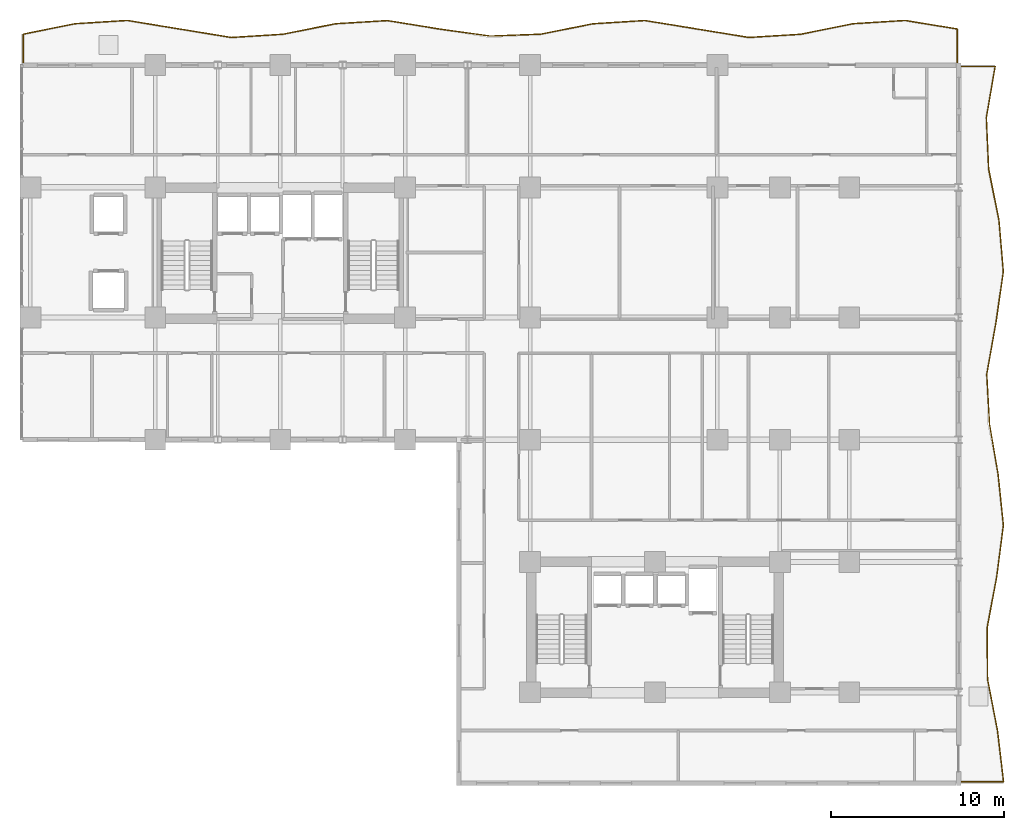
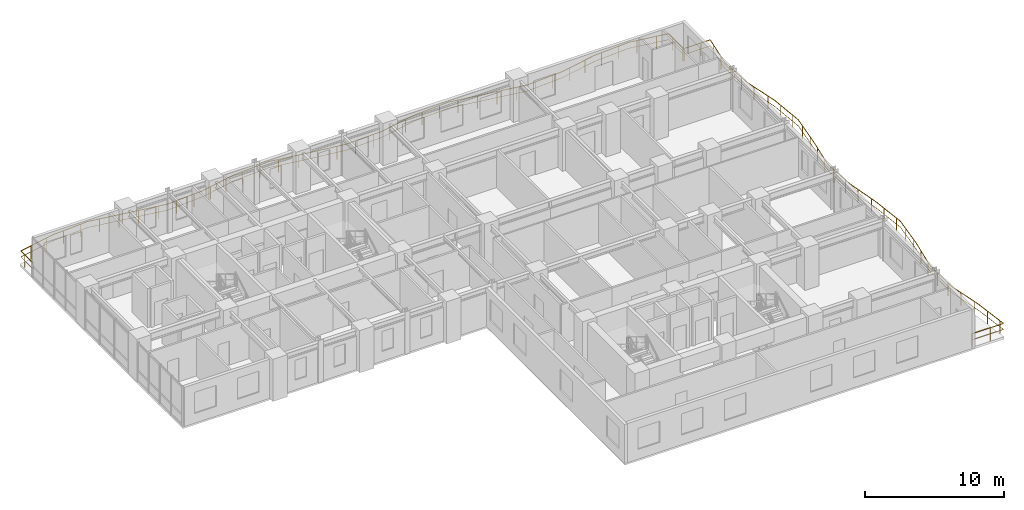
# One storey, part 18 of 18: 2 railings.
"""IFC4 building model written with IfcOpenShell, lengths in metres."""

from ifc_helpers import new_model, si_unit, direction, frame, origin, origin_2d, place, context, subcontext, project, spatial, rectangle, extrude, material, type_object, element, save


model = new_model("IFC4")

# Units and contexts
model_context = context("Model", 3, precision=1e-05, world=origin(), true_north=direction((0.0, 1.0)))
body_context = subcontext(model_context, "Body", "Model", "MODEL_VIEW")
ifc_project = project(units=[si_unit("LENGTHUNIT", "METRE"), si_unit("AREAUNIT", "SQUARE_METRE"), si_unit("VOLUMEUNIT", "CUBIC_METRE"), si_unit("PLANEANGLEUNIT", "RADIAN"), si_unit("MASSUNIT", "GRAM", prefix="KILO")], contexts=[model_context])

# Site, building, storey
site_placement = place(None, origin())
site = spatial("IfcSite", under=ifc_project, at=site_placement, CompositionType="ELEMENT")
building_placement = place(site_placement, origin())
building = spatial("IfcBuilding", under=site, at=building_placement, Name="Kaliganga Portal Commons", CompositionType="ELEMENT")
storey_placement = place(building_placement, frame((0.0, 0.0, 93.39990234375)))
storey = spatial("IfcBuildingStorey", under=building, at=storey_placement, Name="L23", CompositionType="ELEMENT", Elevation=93.39990234375)

# Railings
ifc_material = material(Name="Laminated Safety Glass and Stainless Steel 316", Category="steel")
railing_type = type_object("IfcRailingType", Name="RLG-BAL-1150", PredefinedType="BALUSTRADE", material=ifc_material)
railing_1_placement = place(storey_placement, frame((60.6201171875, 43.20556640625, 0.0)))
element("IfcRailing", 1, at=railing_1_placement, inside=storey, type_object=railing_type, Name="Balcony Guardrail L23 balc_north", PredefinedType="BALUSTRADE", context=body_context, shape_type="SweptSolid", body=[
    extrude(rectangle(XDim=0.048095703125, YDim=0.048095703125, at=origin_2d()), frame((0.0, 0.0, 1.1259765625), z_axis=(0.0, 1.0, 0.0), x_axis=(-1.0, 0.0, 0.0)), (0.0, 0.0, 1.0), 2.076416015625),
    extrude(rectangle(XDim=0.028076171875, YDim=0.028076171875, at=origin_2d()), frame((0.0, 0.0, 0.597900390625), z_axis=(0.0, 1.0, 0.0), x_axis=(-1.0, 0.0, 0.0)), (0.0, 0.0, 1.0), 2.076416015625),
    extrude(rectangle(XDim=0.048095703125, YDim=0.048095703125, at=origin_2d()), frame((0.0, 2.076416015625, 1.1259765625), z_axis=(-0.986897146994, 0.161350615911, 0.0), x_axis=(-0.161350615911, -0.986897146994, 0.0)), (0.0, 0.0, 1.0), 3.039794921875),
    extrude(rectangle(XDim=0.028076171875, YDim=0.028076171875, at=origin_2d()), frame((0.0, 2.076416015625, 0.597900390625), z_axis=(-0.986897146994, 0.161350615911, 0.0), x_axis=(-0.161350615911, -0.986897146994, 0.0)), (0.0, 0.0, 1.0), 3.039794921875),
    extrude(rectangle(XDim=0.048095703125, YDim=0.048095703125, at=origin_2d()), frame((-3.0, 2.56689453125, 1.1259765625), z_axis=(-0.998047518624, -0.062459191229, 0.0), x_axis=(0.062459191229, -0.998047518624, 0.0)), (0.0, 0.0, 1.0), 3.005859375),
    extrude(rectangle(XDim=0.028076171875, YDim=0.028076171875, at=origin_2d()), frame((-3.0, 2.56689453125, 0.597900390625), z_axis=(-0.998047518624, -0.062459191229, 0.0), x_axis=(0.062459191229, -0.998047518624, 0.0)), (0.0, 0.0, 1.0), 3.005859375),
    extrude(rectangle(XDim=0.048095703125, YDim=0.048095703125, at=origin_2d()), frame((-6.0, 2.379150390625, 1.1259765625), z_axis=(-0.980204587851, -0.197987287357, 0.0), x_axis=(0.197987287357, -0.980204587851, 0.0)), (0.0, 0.0, 1.0), 3.060546875),
    extrude(rectangle(XDim=0.028076171875, YDim=0.028076171875, at=origin_2d()), frame((-6.0, 2.379150390625, 0.597900390625), z_axis=(-0.980204587851, -0.197987287357, 0.0), x_axis=(0.197987287357, -0.980204587851, 0.0)), (0.0, 0.0, 1.0), 3.060546875),
    extrude(rectangle(XDim=0.048095703125, YDim=0.048095703125, at=origin_2d()), frame((-9.0, 1.773193359375, 1.1259765625), z_axis=(-0.998062678679, -0.06221647232, 0.0), x_axis=(0.06221647232, -0.998062678679, 0.0)), (0.0, 0.0, 1.0), 3.005859375),
    extrude(rectangle(XDim=0.028076171875, YDim=0.028076171875, at=origin_2d()), frame((-9.0, 1.773193359375, 0.597900390625), z_axis=(-0.998062678679, -0.06221647232, 0.0), x_axis=(0.06221647232, -0.998062678679, 0.0)), (0.0, 0.0, 1.0), 3.005859375),
    extrude(rectangle(XDim=0.048095703125, YDim=0.048095703125, at=origin_2d()), frame((-12.0, 1.586181640625, 1.1259765625), z_axis=(-0.98694825564, 0.16103769959, 0.0), x_axis=(-0.16103769959, -0.98694825564, 0.0)), (0.0, 0.0, 1.0), 3.039794921875),
    extrude(rectangle(XDim=0.028076171875, YDim=0.028076171875, at=origin_2d()), frame((-12.0, 1.586181640625, 0.597900390625), z_axis=(-0.98694825564, 0.16103769959, 0.0), x_axis=(-0.16103769959, -0.98694825564, 0.0)), (0.0, 0.0, 1.0), 3.039794921875),
    extrude(rectangle(XDim=0.048095703125, YDim=0.048095703125, at=origin_2d()), frame((-15.0, 2.07568359375, 1.1259765625), z_axis=(-0.987050191056, 0.160411721317, 0.0), x_axis=(-0.160411721317, -0.987050191056, 0.0)), (0.0, 0.0, 1.0), 3.039306640625),
    extrude(rectangle(XDim=0.028076171875, YDim=0.028076171875, at=origin_2d()), frame((-15.0, 2.07568359375, 0.597900390625), z_axis=(-0.987050191056, 0.160411721317, 0.0), x_axis=(-0.160411721317, -0.987050191056, 0.0)), (0.0, 0.0, 1.0), 3.039306640625),
    extrude(rectangle(XDim=0.048095703125, YDim=0.048095703125, at=origin_2d()), frame((-18.0, 2.563232421875, 1.1259765625), z_axis=(-0.99802689394, -0.062787888745, 0.0), x_axis=(0.062787888745, -0.99802689394, 0.0)), (0.0, 0.0, 1.0), 3.005615234375),
    extrude(rectangle(XDim=0.028076171875, YDim=0.028076171875, at=origin_2d()), frame((-18.0, 2.563232421875, 0.597900390625), z_axis=(-0.99802689394, -0.062787888745, 0.0), x_axis=(0.062787888745, -0.99802689394, 0.0)), (0.0, 0.0, 1.0), 3.005615234375),
    extrude(rectangle(XDim=0.048095703125, YDim=0.048095703125, at=origin_2d()), frame((-20.999755859375, 2.37451171875, 1.1259765625), z_axis=(-0.980669583061, -0.195671073128, 0.0), x_axis=(0.195671073128, -0.980669583061, 0.0)), (0.0, 0.0, 1.0), 3.059326171875),
    extrude(rectangle(XDim=0.028076171875, YDim=0.028076171875, at=origin_2d()), frame((-20.999755859375, 2.37451171875, 0.597900390625), z_axis=(-0.980669583061, -0.195671073128, 0.0), x_axis=(0.195671073128, -0.980669583061, 0.0)), (0.0, 0.0, 1.0), 3.059326171875),
    extrude(rectangle(XDim=0.048095703125, YDim=0.048095703125, at=origin_2d()), frame((-24.0, 1.77587890625, 1.1259765625), z_axis=(-0.999274075238, -0.038096227599, 0.0), x_axis=(0.038096227599, -0.999274075238, 0.0)), (0.0, 0.0, 1.0), 2.92236328125),
    extrude(rectangle(XDim=0.028076171875, YDim=0.028076171875, at=origin_2d()), frame((-24.0, 1.77587890625, 0.597900390625), z_axis=(-0.999274075238, -0.038096227599, 0.0), x_axis=(0.038096227599, -0.999274075238, 0.0)), (0.0, 0.0, 1.0), 2.92236328125),
    extrude(rectangle(XDim=0.048095703125, YDim=0.048095703125, at=origin_2d()), frame((-26.920166015625, 1.66455078125, 1.1259765625), z_axis=(-0.9904046318, 0.138197920782, 0.0), x_axis=(-0.138197920782, -0.9904046318, 0.0)), (0.0, 0.0, 1.0), 2.948486328125),
    extrude(rectangle(XDim=0.028076171875, YDim=0.028076171875, at=origin_2d()), frame((-26.920166015625, 1.66455078125, 0.597900390625), z_axis=(-0.9904046318, 0.138197920782, 0.0), x_axis=(-0.138197920782, -0.9904046318, 0.0)), (0.0, 0.0, 1.0), 2.948486328125),
    extrude(rectangle(XDim=0.048095703125, YDim=0.048095703125, at=origin_2d()), frame((-29.84033203125, 2.072021484375, 1.1259765625), z_axis=(-0.987014082013, 0.160633750836, 0.0), x_axis=(-0.160633750836, -0.987014082013, 0.0)), (0.0, 0.0, 1.0), 3.039794921875),
    extrude(rectangle(XDim=0.028076171875, YDim=0.028076171875, at=origin_2d()), frame((-29.84033203125, 2.072021484375, 0.597900390625), z_axis=(-0.987014082013, 0.160633750836, 0.0), x_axis=(-0.160633750836, -0.987014082013, 0.0)), (0.0, 0.0, 1.0), 3.039794921875),
    extrude(rectangle(XDim=0.048095703125, YDim=0.048095703125, at=origin_2d()), frame((-32.840576171875, 2.560302734375, 1.1259765625), z_axis=(-0.998132347923, -0.061088591653, 0.0), x_axis=(0.061088591653, -0.998132347923, 0.0)), (0.0, 0.0, 1.0), 3.00537109375),
    extrude(rectangle(XDim=0.028076171875, YDim=0.028076171875, at=origin_2d()), frame((-32.840576171875, 2.560302734375, 0.597900390625), z_axis=(-0.998132347923, -0.061088591653, 0.0), x_axis=(0.061088591653, -0.998132347923, 0.0)), (0.0, 0.0, 1.0), 3.00537109375),
    extrude(rectangle(XDim=0.048095703125, YDim=0.048095703125, at=origin_2d()), frame((-35.84033203125, 2.376708984375, 1.1259765625), z_axis=(-0.980371440796, -0.197159422984, 0.0), x_axis=(0.197159422984, -0.980371440796, 0.0)), (0.0, 0.0, 1.0), 3.059814453125),
    extrude(rectangle(XDim=0.028076171875, YDim=0.028076171875, at=origin_2d()), frame((-35.84033203125, 2.376708984375, 0.597900390625), z_axis=(-0.980371440796, -0.197159422984, 0.0), x_axis=(0.197159422984, -0.980371440796, 0.0)), (0.0, 0.0, 1.0), 3.059814453125),
    extrude(rectangle(XDim=0.048095703125, YDim=0.048095703125, at=origin_2d()), frame((-38.840087890625, 1.7734375, 1.1259765625), z_axis=(-0.998057631835, -0.062297379852, 0.0), x_axis=(0.062297379852, -0.998057631835, 0.0)), (0.0, 0.0, 1.0), 3.005859375),
    extrude(rectangle(XDim=0.028076171875, YDim=0.028076171875, at=origin_2d()), frame((-38.840087890625, 1.7734375, 0.597900390625), z_axis=(-0.998057631835, -0.062297379852, 0.0), x_axis=(0.062297379852, -0.998057631835, 0.0)), (0.0, 0.0, 1.0), 3.005859375),
    extrude(rectangle(XDim=0.048095703125, YDim=0.048095703125, at=origin_2d()), frame((-41.840087890625, 1.586181640625, 1.1259765625), z_axis=(-0.986935487284, 0.161115933227, 0.0), x_axis=(-0.161115933227, -0.986935487284, 0.0)), (0.0, 0.0, 1.0), 3.039794921875),
    extrude(rectangle(XDim=0.028076171875, YDim=0.028076171875, at=origin_2d()), frame((-41.840087890625, 1.586181640625, 0.597900390625), z_axis=(-0.986935487284, 0.161115933227, 0.0), x_axis=(-0.161115933227, -0.986935487284, 0.0)), (0.0, 0.0, 1.0), 3.039794921875),
    extrude(rectangle(XDim=0.048095703125, YDim=0.048095703125, at=origin_2d()), frame((-44.840087890625, 2.075927734375, 1.1259765625), z_axis=(-0.986884355159, 0.161428837392, 0.0), x_axis=(-0.161428837392, -0.986884355159, 0.0)), (0.0, 0.0, 1.0), 3.039794921875),
    extrude(rectangle(XDim=0.028076171875, YDim=0.028076171875, at=origin_2d()), frame((-44.840087890625, 2.075927734375, 0.597900390625), z_axis=(-0.986884355159, 0.161428837392, 0.0), x_axis=(-0.161428837392, -0.986884355159, 0.0)), (0.0, 0.0, 1.0), 3.039794921875),
    extrude(rectangle(XDim=0.048095703125, YDim=0.048095703125, at=origin_2d()), frame((-47.840087890625, 2.566650390625, 1.1259765625), z_axis=(-0.998057631835, -0.062297379852, 0.0), x_axis=(0.062297379852, -0.998057631835, 0.0)), (0.0, 0.0, 1.0), 3.005859375),
    extrude(rectangle(XDim=0.028076171875, YDim=0.028076171875, at=origin_2d()), frame((-47.840087890625, 2.566650390625, 0.597900390625), z_axis=(-0.998057631835, -0.062297379852, 0.0), x_axis=(0.062297379852, -0.998057631835, 0.0)), (0.0, 0.0, 1.0), 3.005859375),
    extrude(rectangle(XDim=0.048095703125, YDim=0.048095703125, at=origin_2d()), frame((-50.840087890625, 2.37939453125, 1.1259765625), z_axis=(-0.980173615519, -0.198140564856, 0.0), x_axis=(0.198140564856, -0.980173615519, 0.0)), (0.0, 0.0, 1.0), 3.060791015625),
    extrude(rectangle(XDim=0.028076171875, YDim=0.028076171875, at=origin_2d()), frame((-50.840087890625, 2.37939453125, 0.597900390625), z_axis=(-0.980173615519, -0.198140564856, 0.0), x_axis=(0.198140564856, -0.980173615519, 0.0)), (0.0, 0.0, 1.0), 3.060791015625),
    extrude(rectangle(XDim=0.048095703125, YDim=0.048095703125, at=origin_2d()), frame((-53.840087890625, 1.77294921875, 1.1259765625), z_axis=(-0.000137703111, -0.999999990519, 0.0), x_axis=(0.999999990519, -0.000137703111, 0.0)), (0.0, 0.0, 1.0), 1.77294921875),
    extrude(rectangle(XDim=0.028076171875, YDim=0.028076171875, at=origin_2d()), frame((-53.840087890625, 1.77294921875, 0.597900390625), z_axis=(-0.000137703111, -0.999999990519, 0.0), x_axis=(0.999999990519, -0.000137703111, 0.0)), (0.0, 0.0, 1.0), 1.77294921875),
    extrude(rectangle(XDim=0.0419921875, YDim=0.0419921875, at=origin_2d()), origin(), (0.0, 0.0, 1.0), 1.101806640625),
    extrude(rectangle(XDim=0.0419921875, YDim=0.0419921875, at=origin_2d()), frame((0.0, 1.5, 0.0)), (0.0, 0.0, 1.0), 1.101806640625),
    extrude(rectangle(XDim=0.0419921875, YDim=0.0419921875, at=origin_2d()), frame((-0.911376953125, 2.225341796875, 0.0)), (0.0, 0.0, 1.0), 1.101806640625),
    extrude(rectangle(XDim=0.0419921875, YDim=0.0419921875, at=origin_2d()), frame((-2.391845703125, 2.467529296875, 0.0)), (0.0, 0.0, 1.0), 1.101806640625),
    extrude(rectangle(XDim=0.0419921875, YDim=0.0419921875, at=origin_2d()), frame((-3.882080078125, 2.51171875, 0.0)), (0.0, 0.0, 1.0), 1.101806640625),
    extrude(rectangle(XDim=0.0419921875, YDim=0.0419921875, at=origin_2d()), frame((-5.379150390625, 2.41796875, 0.0)), (0.0, 0.0, 1.0), 1.101806640625),
    extrude(rectangle(XDim=0.0419921875, YDim=0.0419921875, at=origin_2d()), frame((-6.860595703125, 2.205322265625, 0.0)), (0.0, 0.0, 1.0), 1.101806640625),
    extrude(rectangle(XDim=0.0419921875, YDim=0.0419921875, at=origin_2d()), frame((-8.330810546875, 1.908447265625, 0.0)), (0.0, 0.0, 1.0), 1.101806640625),
    extrude(rectangle(XDim=0.0419921875, YDim=0.0419921875, at=origin_2d()), frame((-9.815673828125, 1.722412109375, 0.0)), (0.0, 0.0, 1.0), 1.101806640625),
    extrude(rectangle(XDim=0.0419921875, YDim=0.0419921875, at=origin_2d()), frame((-11.312744140625, 1.62890625, 0.0)), (0.0, 0.0, 1.0), 1.101806640625),
    extrude(rectangle(XDim=0.0419921875, YDim=0.0419921875, at=origin_2d()), frame((-12.80078125, 1.716796875, 0.0)), (0.0, 0.0, 1.0), 1.101806640625),
    extrude(rectangle(XDim=0.0419921875, YDim=0.0419921875, at=origin_2d()), frame((-14.28125, 1.95849609375, 0.0)), (0.0, 0.0, 1.0), 1.101806640625),
    extrude(rectangle(XDim=0.0419921875, YDim=0.0419921875, at=origin_2d()), frame((-15.76171875, 2.199462890625, 0.0)), (0.0, 0.0, 1.0), 1.101806640625),
    extrude(rectangle(XDim=0.0419921875, YDim=0.0419921875, at=origin_2d()), frame((-17.242431640625, 2.440185546875, 0.0)), (0.0, 0.0, 1.0), 1.101806640625),
    extrude(rectangle(XDim=0.0419921875, YDim=0.0419921875, at=origin_2d()), frame((-18.73095703125, 2.517333984375, 0.0)), (0.0, 0.0, 1.0), 1.101806640625),
    extrude(rectangle(XDim=0.0419921875, YDim=0.0419921875, at=origin_2d()), frame((-20.22802734375, 2.423095703125, 0.0)), (0.0, 0.0, 1.0), 1.101806640625),
    extrude(rectangle(XDim=0.0419921875, YDim=0.0419921875, at=origin_2d()), frame((-21.71240234375, 2.232421875, 0.0)), (0.0, 0.0, 1.0), 1.101806640625),
    extrude(rectangle(XDim=0.0419921875, YDim=0.0419921875, at=origin_2d()), frame((-23.183349609375, 1.938720703125, 0.0)), (0.0, 0.0, 1.0), 1.101806640625),
    extrude(rectangle(XDim=0.0419921875, YDim=0.0419921875, at=origin_2d()), frame((-24.6669921875, 1.75048828125, 0.0)), (0.0, 0.0, 1.0), 1.101806640625),
    extrude(rectangle(XDim=0.0419921875, YDim=0.0419921875, at=origin_2d()), frame((-26.165771484375, 1.693359375, 0.0)), (0.0, 0.0, 1.0), 1.101806640625),
    extrude(rectangle(XDim=0.0419921875, YDim=0.0419921875, at=origin_2d()), frame((-27.658203125, 1.767578125, 0.0)), (0.0, 0.0, 1.0), 1.101806640625),
    extrude(rectangle(XDim=0.0419921875, YDim=0.0419921875, at=origin_2d()), frame((-29.143798828125, 1.974853515625, 0.0)), (0.0, 0.0, 1.0), 1.101806640625),
    extrude(rectangle(XDim=0.0419921875, YDim=0.0419921875, at=origin_2d()), frame((-30.626708984375, 2.199951171875, 0.0)), (0.0, 0.0, 1.0), 1.101806640625),
    extrude(rectangle(XDim=0.0419921875, YDim=0.0419921875, at=origin_2d()), frame((-32.107177734375, 2.44091796875, 0.0)), (0.0, 0.0, 1.0), 1.101806640625),
    extrude(rectangle(XDim=0.0419921875, YDim=0.0419921875, at=origin_2d()), frame((-33.59619140625, 2.51416015625, 0.0)), (0.0, 0.0, 1.0), 1.101806640625),
    extrude(rectangle(XDim=0.0419921875, YDim=0.0419921875, at=origin_2d()), frame((-35.09326171875, 2.42236328125, 0.0)), (0.0, 0.0, 1.0), 1.101806640625),
    extrude(rectangle(XDim=0.0419921875, YDim=0.0419921875, at=origin_2d()), frame((-36.5771484375, 2.228515625, 0.0)), (0.0, 0.0, 1.0), 1.101806640625),
    extrude(rectangle(XDim=0.0419921875, YDim=0.0419921875, at=origin_2d()), frame((-38.047607421875, 1.932861328125, 0.0)), (0.0, 0.0, 1.0), 1.101806640625),
    extrude(rectangle(XDim=0.0419921875, YDim=0.0419921875, at=origin_2d()), frame((-39.530517578125, 1.730224609375, 0.0)), (0.0, 0.0, 1.0), 1.101806640625),
    extrude(rectangle(XDim=0.0419921875, YDim=0.0419921875, at=origin_2d()), frame((-41.027587890625, 1.636962890625, 0.0)), (0.0, 0.0, 1.0), 1.101806640625),
    extrude(rectangle(XDim=0.0419921875, YDim=0.0419921875, at=origin_2d()), frame((-42.51708984375, 1.69677734375, 0.0)), (0.0, 0.0, 1.0), 1.101806640625),
    extrude(rectangle(XDim=0.0419921875, YDim=0.0419921875, at=origin_2d()), frame((-43.997314453125, 1.9384765625, 0.0)), (0.0, 0.0, 1.0), 1.101806640625),
    extrude(rectangle(XDim=0.0419921875, YDim=0.0419921875, at=origin_2d()), frame((-45.477783203125, 2.18017578125, 0.0)), (0.0, 0.0, 1.0), 1.101806640625),
    extrude(rectangle(XDim=0.0419921875, YDim=0.0419921875, at=origin_2d()), frame((-46.9580078125, 2.42236328125, 0.0)), (0.0, 0.0, 1.0), 1.101806640625),
    extrude(rectangle(XDim=0.0419921875, YDim=0.0419921875, at=origin_2d()), frame((-48.4453125, 2.52880859375, 0.0)), (0.0, 0.0, 1.0), 1.101806640625),
    extrude(rectangle(XDim=0.0419921875, YDim=0.0419921875, at=origin_2d()), frame((-49.9423828125, 2.435546875, 0.0)), (0.0, 0.0, 1.0), 1.101806640625),
    extrude(rectangle(XDim=0.0419921875, YDim=0.0419921875, at=origin_2d()), frame((-51.4287109375, 2.260498046875, 0.0)), (0.0, 0.0, 1.0), 1.101806640625),
    extrude(rectangle(XDim=0.0419921875, YDim=0.0419921875, at=origin_2d()), frame((-52.89892578125, 1.963134765625, 0.0)), (0.0, 0.0, 1.0), 1.101806640625),
    extrude(rectangle(XDim=0.0419921875, YDim=0.0419921875, at=origin_2d()), frame((-53.840087890625, 1.233154296875, 0.0)), (0.0, 0.0, 1.0), 1.101806640625),
    extrude(rectangle(XDim=0.0419921875, YDim=0.0419921875, at=origin_2d()), frame((-53.84033203125, 0.0, 0.0)), (0.0, 0.0, 1.0), 1.101806640625),
])
railing_2_placement = place(storey_placement, frame((60.70703125, 1.879638671875, 0.0)))
element("IfcRailing", 2, at=railing_2_placement, inside=storey, type_object=railing_type, Name="Balcony Guardrail L23 balc_east", PredefinedType="BALUSTRADE", context=body_context, shape_type="SweptSolid", body=[
    extrude(rectangle(XDim=0.048095703125, YDim=0.048095703125, at=origin_2d()), frame((0.0, 0.0, 1.1259765625), z_axis=(0.999999995558, 9.425959e-05, 0.0), x_axis=(-9.425959e-05, 0.999999995558, 0.0)), (0.0, 0.0, 1.0), 2.590087890625),
    extrude(rectangle(XDim=0.028076171875, YDim=0.028076171875, at=origin_2d()), frame((0.0, 0.0, 0.597900390625), z_axis=(0.999999995558, 9.425959e-05, 0.0), x_axis=(-9.425959e-05, 0.999999995558, 0.0)), (0.0, 0.0, 1.0), 2.590087890625),
    extrude(rectangle(XDim=0.048095703125, YDim=0.048095703125, at=origin_2d()), frame((2.590087890625, 0.000244140625, 1.1259765625), z_axis=(-0.116836490437, 0.993151163974, 0.0), x_axis=(-0.993151163974, -0.116836490437, 0.0)), (0.0, 0.0, 1.0), 2.977783203125),
    extrude(rectangle(XDim=0.028076171875, YDim=0.028076171875, at=origin_2d()), frame((2.590087890625, 0.000244140625, 0.597900390625), z_axis=(-0.116836490437, 0.993151163974, 0.0), x_axis=(-0.993151163974, -0.116836490437, 0.0)), (0.0, 0.0, 1.0), 2.977783203125),
    extrude(rectangle(XDim=0.048095703125, YDim=0.048095703125, at=origin_2d()), frame((2.2421875, 2.95751953125, 1.1259765625), z_axis=(-0.190392360757, 0.981708077264, 0.0), x_axis=(-0.981708077264, -0.190392360757, 0.0)), (0.0, 0.0, 1.0), 3.01220703125),
    extrude(rectangle(XDim=0.028076171875, YDim=0.028076171875, at=origin_2d()), frame((2.2421875, 2.95751953125, 0.597900390625), z_axis=(-0.190392360757, 0.981708077264, 0.0), x_axis=(-0.981708077264, -0.190392360757, 0.0)), (0.0, 0.0, 1.0), 3.01220703125),
    extrude(rectangle(XDim=0.048095703125, YDim=0.048095703125, at=origin_2d()), frame((1.668701171875, 5.91455078125, 1.1259765625), z_axis=(-0.008998232242, 0.999959515089, 0.0), x_axis=(-0.999959515089, -0.008998232242, 0.0)), (0.0, 0.0, 1.0), 2.957275390625),
    extrude(rectangle(XDim=0.028076171875, YDim=0.028076171875, at=origin_2d()), frame((1.668701171875, 5.91455078125, 0.597900390625), z_axis=(-0.008998232242, 0.999959515089, 0.0), x_axis=(-0.999959515089, -0.008998232242, 0.0)), (0.0, 0.0, 1.0), 2.957275390625),
    extrude(rectangle(XDim=0.048095703125, YDim=0.048095703125, at=origin_2d()), frame((1.64208984375, 8.871826171875, 1.1259765625), z_axis=(0.184210140655, 0.982886882647, 0.0), x_axis=(-0.982886882647, 0.184210140655, 0.0)), (0.0, 0.0, 1.0), 3.008544921875),
    extrude(rectangle(XDim=0.028076171875, YDim=0.028076171875, at=origin_2d()), frame((1.64208984375, 8.871826171875, 0.597900390625), z_axis=(0.184210140655, 0.982886882647, 0.0), x_axis=(-0.982886882647, 0.184210140655, 0.0)), (0.0, 0.0, 1.0), 3.008544921875),
    extrude(rectangle(XDim=0.048095703125, YDim=0.048095703125, at=origin_2d()), frame((2.1962890625, 11.828857421875, 1.1259765625), z_axis=(0.128891072209, 0.99165875759, 0.0), x_axis=(-0.99165875759, 0.128891072209, 0.0)), (0.0, 0.0, 1.0), 2.9814453125),
    extrude(rectangle(XDim=0.028076171875, YDim=0.028076171875, at=origin_2d()), frame((2.1962890625, 11.828857421875, 0.597900390625), z_axis=(0.128891072209, 0.99165875759, 0.0), x_axis=(-0.99165875759, 0.128891072209, 0.0)), (0.0, 0.0, 1.0), 2.9814453125),
    extrude(rectangle(XDim=0.048095703125, YDim=0.048095703125, at=origin_2d()), frame((2.58056640625, 14.785400390625, 1.1259765625), z_axis=(-0.102829097179, 0.994699038289, 0.0), x_axis=(-0.994699038289, -0.102829097179, 0.0)), (0.0, 0.0, 1.0), 2.97265625),
    extrude(rectangle(XDim=0.028076171875, YDim=0.028076171875, at=origin_2d()), frame((2.58056640625, 14.785400390625, 0.597900390625), z_axis=(-0.102829097179, 0.994699038289, 0.0), x_axis=(-0.994699038289, -0.102829097179, 0.0)), (0.0, 0.0, 1.0), 2.97265625),
    extrude(rectangle(XDim=0.048095703125, YDim=0.048095703125, at=origin_2d()), frame((2.27490234375, 17.7421875, 1.1259765625), z_axis=(-0.170102854155, 0.985426313333, 0.0), x_axis=(-0.985426313333, -0.170102854155, 0.0)), (0.0, 0.0, 1.0), 2.920654296875),
    extrude(rectangle(XDim=0.028076171875, YDim=0.028076171875, at=origin_2d()), frame((2.27490234375, 17.7421875, 0.597900390625), z_axis=(-0.170102854155, 0.985426313333, 0.0), x_axis=(-0.985426313333, -0.170102854155, 0.0)), (0.0, 0.0, 1.0), 2.920654296875),
    extrude(rectangle(XDim=0.048095703125, YDim=0.048095703125, at=origin_2d()), frame((1.778076171875, 20.620361328125, 1.1259765625), z_axis=(-0.053888490989, 0.998546959606, 0.0), x_axis=(-0.998546959606, -0.053888490989, 0.0)), (0.0, 0.0, 1.0), 2.88134765625),
    extrude(rectangle(XDim=0.028076171875, YDim=0.028076171875, at=origin_2d()), frame((1.778076171875, 20.620361328125, 0.597900390625), z_axis=(-0.053888490989, 0.998546959606, 0.0), x_axis=(-0.998546959606, -0.053888490989, 0.0)), (0.0, 0.0, 1.0), 2.88134765625),
    extrude(rectangle(XDim=0.048095703125, YDim=0.048095703125, at=origin_2d()), frame((1.622802734375, 23.49755859375, 1.1259765625), z_axis=(0.175393988438, 0.984498323422, 0.0), x_axis=(-0.984498323422, 0.175393988438, 0.0)), (0.0, 0.0, 1.0), 3.00390625),
    extrude(rectangle(XDim=0.028076171875, YDim=0.028076171875, at=origin_2d()), frame((1.622802734375, 23.49755859375, 0.597900390625), z_axis=(0.175393988438, 0.984498323422, 0.0), x_axis=(-0.984498323422, 0.175393988438, 0.0)), (0.0, 0.0, 1.0), 3.00390625),
    extrude(rectangle(XDim=0.048095703125, YDim=0.048095703125, at=origin_2d()), frame((2.149658203125, 26.454833984375, 1.1259765625), z_axis=(0.143308456887, 0.989678071993, 0.0), x_axis=(-0.989678071993, 0.143308456887, 0.0)), (0.0, 0.0, 1.0), 2.988037109375),
    extrude(rectangle(XDim=0.028076171875, YDim=0.028076171875, at=origin_2d()), frame((2.149658203125, 26.454833984375, 0.597900390625), z_axis=(0.143308456887, 0.989678071993, 0.0), x_axis=(-0.989678071993, 0.143308456887, 0.0)), (0.0, 0.0, 1.0), 2.988037109375),
    extrude(rectangle(XDim=0.048095703125, YDim=0.048095703125, at=origin_2d()), frame((2.577880859375, 29.412109375, 1.1259765625), z_axis=(-0.085060482706, 0.996375789691, 0.0), x_axis=(-0.996375789691, -0.085060482706, 0.0)), (0.0, 0.0, 1.0), 2.9677734375),
    extrude(rectangle(XDim=0.028076171875, YDim=0.028076171875, at=origin_2d()), frame((2.577880859375, 29.412109375, 0.597900390625), z_axis=(-0.085060482706, 0.996375789691, 0.0), x_axis=(-0.996375789691, -0.085060482706, 0.0)), (0.0, 0.0, 1.0), 2.9677734375),
    extrude(rectangle(XDim=0.048095703125, YDim=0.048095703125, at=origin_2d()), frame((2.325439453125, 32.369140625, 1.1259765625), z_axis=(-0.196863281954, 0.980430950255, 0.0), x_axis=(-0.980430950255, -0.196863281954, 0.0)), (0.0, 0.0, 1.0), 3.01611328125),
    extrude(rectangle(XDim=0.028076171875, YDim=0.028076171875, at=origin_2d()), frame((2.325439453125, 32.369140625, 0.597900390625), z_axis=(-0.196863281954, 0.980430950255, 0.0), x_axis=(-0.980430950255, -0.196863281954, 0.0)), (0.0, 0.0, 1.0), 3.01611328125),
    extrude(rectangle(XDim=0.048095703125, YDim=0.048095703125, at=origin_2d()), frame((1.731689453125, 35.326171875, 1.1259765625), z_axis=(-0.045033526252, 0.998985476127, 0.0), x_axis=(-0.998985476127, -0.045033526252, 0.0)), (0.0, 0.0, 1.0), 2.9599609375),
    extrude(rectangle(XDim=0.028076171875, YDim=0.028076171875, at=origin_2d()), frame((1.731689453125, 35.326171875, 0.597900390625), z_axis=(-0.045033526252, 0.998985476127, 0.0), x_axis=(-0.998985476127, -0.045033526252, 0.0)), (0.0, 0.0, 1.0), 2.9599609375),
    extrude(rectangle(XDim=0.048095703125, YDim=0.048095703125, at=origin_2d()), frame((1.598388671875, 38.283203125, 1.1259765625), z_axis=(0.169397389678, 0.98554782957, 0.0), x_axis=(-0.98554782957, 0.169397389678, 0.0)), (0.0, 0.0, 1.0), 3.000732421875),
    extrude(rectangle(XDim=0.028076171875, YDim=0.028076171875, at=origin_2d()), frame((1.598388671875, 38.283203125, 0.597900390625), z_axis=(0.169397389678, 0.98554782957, 0.0), x_axis=(-0.98554782957, 0.169397389678, 0.0)), (0.0, 0.0, 1.0), 3.000732421875),
    extrude(rectangle(XDim=0.048095703125, YDim=0.048095703125, at=origin_2d()), frame((2.106689453125, 41.240478515625, 1.1259765625), z_axis=(-0.999999993285, 0.000115888283, 0.0), x_axis=(-0.000115888283, -0.999999993285, 0.0)), (0.0, 0.0, 1.0), 2.106689453125),
    extrude(rectangle(XDim=0.028076171875, YDim=0.028076171875, at=origin_2d()), frame((2.106689453125, 41.240478515625, 0.597900390625), z_axis=(-0.999999993285, 0.000115888283, 0.0), x_axis=(-0.000115888283, -0.999999993285, 0.0)), (0.0, 0.0, 1.0), 2.106689453125),
    extrude(rectangle(XDim=0.0419921875, YDim=0.0419921875, at=origin_2d()), origin(), (0.0, 0.0, 1.0), 1.101806640625),
    extrude(rectangle(XDim=0.0419921875, YDim=0.0419921875, at=origin_2d()), frame((1.5, 0.000244140625, 0.0)), (0.0, 0.0, 1.0), 1.101806640625),
    extrude(rectangle(XDim=0.0419921875, YDim=0.0419921875, at=origin_2d()), frame((2.542236328125, 0.407470703125, 0.0)), (0.0, 0.0, 1.0), 1.101806640625),
    extrude(rectangle(XDim=0.0419921875, YDim=0.0419921875, at=origin_2d()), frame((2.366943359375, 1.89697265625, 0.0)), (0.0, 0.0, 1.0), 1.101806640625),
    extrude(rectangle(XDim=0.0419921875, YDim=0.0419921875, at=origin_2d()), frame((2.159912109375, 3.3818359375, 0.0)), (0.0, 0.0, 1.0), 1.101806640625),
    extrude(rectangle(XDim=0.0419921875, YDim=0.0419921875, at=origin_2d()), frame((1.874267578125, 4.8544921875, 0.0)), (0.0, 0.0, 1.0), 1.101806640625),
    extrude(rectangle(XDim=0.0419921875, YDim=0.0419921875, at=origin_2d()), frame((1.6650390625, 6.334716796875, 0.0)), (0.0, 0.0, 1.0), 1.101806640625),
    extrude(rectangle(XDim=0.0419921875, YDim=0.0419921875, at=origin_2d()), frame((1.6513671875, 7.83447265625, 0.0)), (0.0, 0.0, 1.0), 1.101806640625),
    extrude(rectangle(XDim=0.0419921875, YDim=0.0419921875, at=origin_2d()), frame((1.727294921875, 9.32666015625, 0.0)), (0.0, 0.0, 1.0), 1.101806640625),
    extrude(rectangle(XDim=0.0419921875, YDim=0.0419921875, at=origin_2d()), frame((2.003662109375, 10.801025390625, 0.0)), (0.0, 0.0, 1.0), 1.101806640625),
    extrude(rectangle(XDim=0.0419921875, YDim=0.0419921875, at=origin_2d()), frame((2.2548828125, 12.279296875, 0.0)), (0.0, 0.0, 1.0), 1.101806640625),
    extrude(rectangle(XDim=0.0419921875, YDim=0.0419921875, at=origin_2d()), frame((2.4482421875, 13.766845703125, 0.0)), (0.0, 0.0, 1.0), 1.101806640625),
    extrude(rectangle(XDim=0.0419921875, YDim=0.0419921875, at=origin_2d()), frame((2.531982421875, 15.255615234375, 0.0)), (0.0, 0.0, 1.0), 1.101806640625),
    extrude(rectangle(XDim=0.0419921875, YDim=0.0419921875, at=origin_2d()), frame((2.377685546875, 16.747802734375, 0.0)), (0.0, 0.0, 1.0), 1.101806640625),
    extrude(rectangle(XDim=0.0419921875, YDim=0.0419921875, at=origin_2d()), frame((2.189697265625, 18.235107421875, 0.0)), (0.0, 0.0, 1.0), 1.101806640625),
    extrude(rectangle(XDim=0.0419921875, YDim=0.0419921875, at=origin_2d()), frame((1.9345703125, 19.71337890625, 0.0)), (0.0, 0.0, 1.0), 1.101806640625),
    extrude(rectangle(XDim=0.0419921875, YDim=0.0419921875, at=origin_2d()), frame((1.746826171875, 21.198974609375, 0.0)), (0.0, 0.0, 1.0), 1.101806640625),
    extrude(rectangle(XDim=0.0419921875, YDim=0.0419921875, at=origin_2d()), frame((1.666015625, 22.69677734375, 0.0)), (0.0, 0.0, 1.0), 1.101806640625),
    extrude(rectangle(XDim=0.0419921875, YDim=0.0419921875, at=origin_2d()), frame((1.745361328125, 24.184814453125, 0.0)), (0.0, 0.0, 1.0), 1.101806640625),
    extrude(rectangle(XDim=0.0419921875, YDim=0.0419921875, at=origin_2d()), frame((2.00830078125, 25.66162109375, 0.0)), (0.0, 0.0, 1.0), 1.101806640625),
    extrude(rectangle(XDim=0.0419921875, YDim=0.0419921875, at=origin_2d()), frame((2.249267578125, 27.141845703125, 0.0)), (0.0, 0.0, 1.0), 1.101806640625),
    extrude(rectangle(XDim=0.0419921875, YDim=0.0419921875, at=origin_2d()), frame((2.464111328125, 28.62646484375, 0.0)), (0.0, 0.0, 1.0), 1.101806640625),
    extrude(rectangle(XDim=0.0419921875, YDim=0.0419921875, at=origin_2d()), frame((2.517822265625, 30.11572265625, 0.0)), (0.0, 0.0, 1.0), 1.101806640625),
    extrude(rectangle(XDim=0.0419921875, YDim=0.0419921875, at=origin_2d()), frame((2.39013671875, 31.6103515625, 0.0)), (0.0, 0.0, 1.0), 1.101806640625),
    extrude(rectangle(XDim=0.0419921875, YDim=0.0419921875, at=origin_2d()), frame((2.18017578125, 33.093017578125, 0.0)), (0.0, 0.0, 1.0), 1.101806640625),
    extrude(rectangle(XDim=0.0419921875, YDim=0.0419921875, at=origin_2d()), frame((1.884765625, 34.563720703125, 0.0)), (0.0, 0.0, 1.0), 1.101806640625),
    extrude(rectangle(XDim=0.0419921875, YDim=0.0419921875, at=origin_2d()), frame((1.69921875, 36.0478515625, 0.0)), (0.0, 0.0, 1.0), 1.101806640625),
    extrude(rectangle(XDim=0.0419921875, YDim=0.0419921875, at=origin_2d()), frame((1.631591796875, 37.546142578125, 0.0)), (0.0, 0.0, 1.0), 1.101806640625),
    extrude(rectangle(XDim=0.0419921875, YDim=0.0419921875, at=origin_2d()), frame((1.7275390625, 39.034423828125, 0.0)), (0.0, 0.0, 1.0), 1.101806640625),
    extrude(rectangle(XDim=0.0419921875, YDim=0.0419921875, at=origin_2d()), frame((1.981689453125, 40.5126953125, 0.0)), (0.0, 0.0, 1.0), 1.101806640625),
    extrude(rectangle(XDim=0.0419921875, YDim=0.0419921875, at=origin_2d()), frame((1.344970703125, 41.240478515625, 0.0)), (0.0, 0.0, 1.0), 1.101806640625),
    extrude(rectangle(XDim=0.0419921875, YDim=0.0419921875, at=origin_2d()), frame((0.0, 41.24072265625, 0.0)), (0.0, 0.0, 1.0), 1.101806640625),
])

save(model, "model.ifc")
